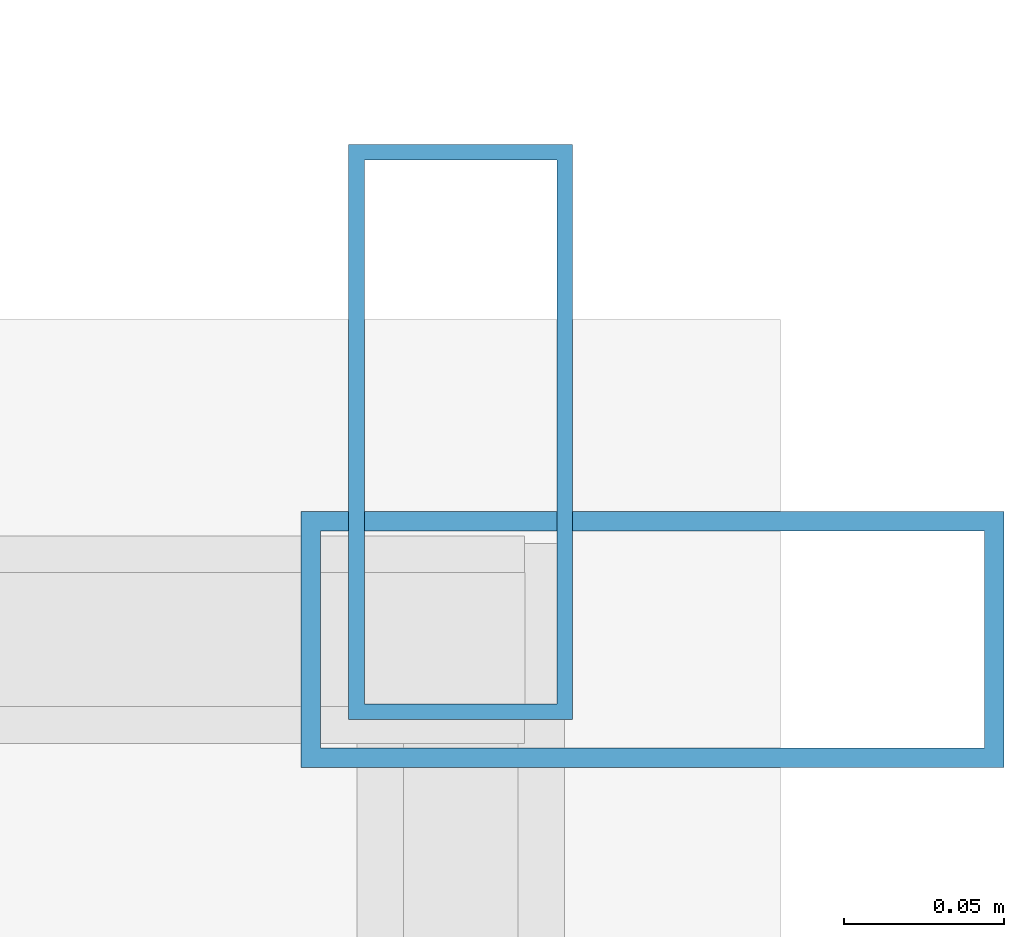
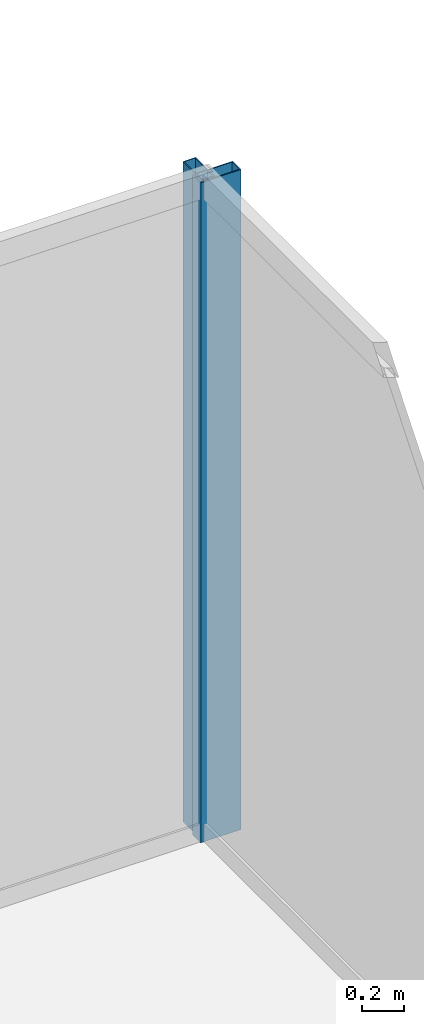
# One storey, part 26 of 35: 2 members, 2 elements without a shape of their own.
"""IFC4 building model written with IfcOpenShell, lengths in metres."""

from ifc_helpers import new_model, si_unit, direction, frame, origin, origin_2d, place, context, subcontext, project, spatial, hollow_rectangle, extrude, source, transform, mapped, material, layer, layer_set, material_profile, profile_set, type_object, type_shapes, element, aggregate, save


model = new_model("IFC4")

# Units and contexts
model_context = context("Model", 3, precision=1e-05, world=origin(), true_north=direction((0.0, 1.0)))
body_context = subcontext(model_context, "Body", "Model", "MODEL_VIEW")
ifc_project = project(units=[si_unit("LENGTHUNIT", "METRE"), si_unit("AREAUNIT", "SQUARE_METRE"), si_unit("VOLUMEUNIT", "CUBIC_METRE"), si_unit("PLANEANGLEUNIT", "RADIAN"), si_unit("MASSUNIT", "GRAM", prefix="KILO")], contexts=[model_context])

# Site, building, storey
site_placement = place(None, origin())
site = spatial("IfcSite", under=ifc_project, at=site_placement, CompositionType="ELEMENT")
building_placement = place(site_placement, origin())
building = spatial("IfcBuilding", under=site, at=building_placement, Name="Haelvirn Gate Laboratories", CompositionType="ELEMENT")
storey_placement = place(building_placement, frame((0.0, 0.0, 226.0)))
storey = spatial("IfcBuildingStorey", under=building, at=storey_placement, Name="L54", CompositionType="ELEMENT", Elevation=226.0)

# Curtain wall, member
ifc_material_1 = material(Name="Anodised bronze unitised aluminium & triple low-E glass", Category="aluminium")
ifc_layer_1 = layer(ifc_material_1, 0.176025390625, Name="CW-SYS-4")
ifc_layer_set_1 = layer_set([ifc_layer_1], Name="Anodised bronze unitised aluminium & triple low-E glass")
curtain_wall_type_1 = type_object("IfcCurtainWallType", Name="CW-SYS-4", PredefinedType="NOTDEFINED", material=ifc_layer_set_1)
curtain_wall_1_placement = place(storey_placement, origin())
curtain_wall_1 = element("IfcCurtainWall", 1, at=curtain_wall_1_placement, inside=storey, type_object=curtain_wall_type_1, Name="L54 Unitised Curtain Wall CW-L54-P0-E07", PredefinedType="NOTDEFINED")
ifc_material_2 = material(Name="Extruded aluminium 6063-T6 (anodised bronze)", Category="aluminium")
ifc_material_profile_1 = material_profile(ifc_material_2, hollow_rectangle(XDim=0.070068359375, YDim=0.179931640625, WallThickness=0.0048828125, at=origin_2d()), Name="CWM-180x70x5")
ifc_profile_set_1 = profile_set([ifc_material_profile_1], Name="Extruded aluminium 6063-T6 (anodised bronze)")
member_type_1 = type_object("IfcMemberType", Name="CWM-T180", PredefinedType="MULLION", material=ifc_profile_set_1)
shared_shape_1 = source(origin(), body_context, "Body", "SweptSolid", [
    extrude(hollow_rectangle(XDim=0.070068359375, YDim=0.179931640625, WallThickness=0.0048828125, at=origin_2d()), origin(), (0.0, 0.0, 1.0), 3.800048828125),
])
type_shapes(member_type_1, [shared_shape_1])
member_1_placement = place(storey_placement, frame((70.699951171875, 42.764892578125, 0.0), z_axis=(0.0, 0.0, 1.0), x_axis=(-1.0, 0.0, 0.0)))
member_1 = element("IfcMember", 2, at=member_1_placement, type_object=member_type_1, Name="CW4 mullion 3", PredefinedType="MULLION", context=body_context, shape_type="MappedRepresentation", body=[
    mapped(shared_shape_1, transform((0.0, 0.0, 0.0), scale=1.0)),
])
aggregate(curtain_wall_1, [member_1])

ifc_layer_2 = layer(ifc_material_1, 0.181884765625, Name="CW-SYS-5")
ifc_layer_set_2 = layer_set([ifc_layer_2], Name="Anodised bronze unitised aluminium & triple low-E glass")
curtain_wall_type_2 = type_object("IfcCurtainWallType", Name="CW-SYS-5", PredefinedType="NOTDEFINED", material=ifc_layer_set_2)
curtain_wall_2_placement = place(storey_placement, origin())
curtain_wall_2 = element("IfcCurtainWall", 3, at=curtain_wall_2_placement, inside=storey, type_object=curtain_wall_type_2, Name="L54 Unitised Curtain Wall CW-L54-P0-E08-1", PredefinedType="NOTDEFINED")
ifc_material_profile_2 = material_profile(ifc_material_2, hollow_rectangle(XDim=0.080078125, YDim=0.219970703125, WallThickness=0.006103515625, at=origin_2d()), Name="CWM-220x80x6")
ifc_profile_set_2 = profile_set([ifc_material_profile_2], Name="Extruded aluminium 6063-T6 (anodised bronze)")
member_type_2 = type_object("IfcMemberType", Name="CWM-T220", PredefinedType="MULLION", material=ifc_profile_set_2)
shared_shape_2 = source(origin(), body_context, "Body", "SweptSolid", [
    extrude(hollow_rectangle(XDim=0.080078125, YDim=0.219970703125, WallThickness=0.006103515625, at=origin_2d()), origin(), (0.0, 0.0, 1.0), 3.800048828125),
])
type_shapes(member_type_2, [shared_shape_2])
member_2_placement = place(storey_placement, frame((70.760009765625, 42.699951171875, 0.0), z_axis=(0.0, 0.0, 1.0), x_axis=(0.0, 1.0, 0.0)))
member_2 = element("IfcMember", 4, at=member_2_placement, type_object=member_type_2, Name="CW5 mullion 2", PredefinedType="MULLION", context=body_context, shape_type="MappedRepresentation", body=[
    mapped(shared_shape_2, transform((0.0, 0.0, 0.0), scale=1.0)),
])
aggregate(curtain_wall_2, [member_2])

save(model, "model.ifc")
